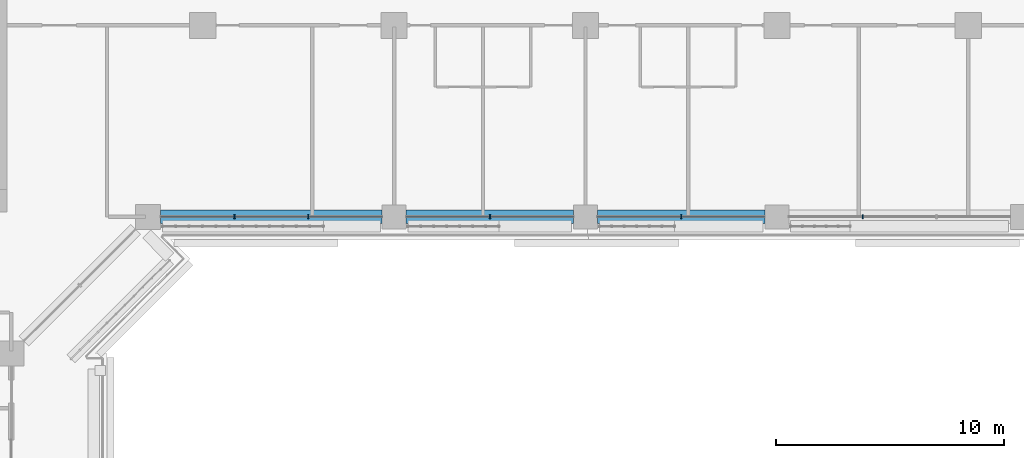
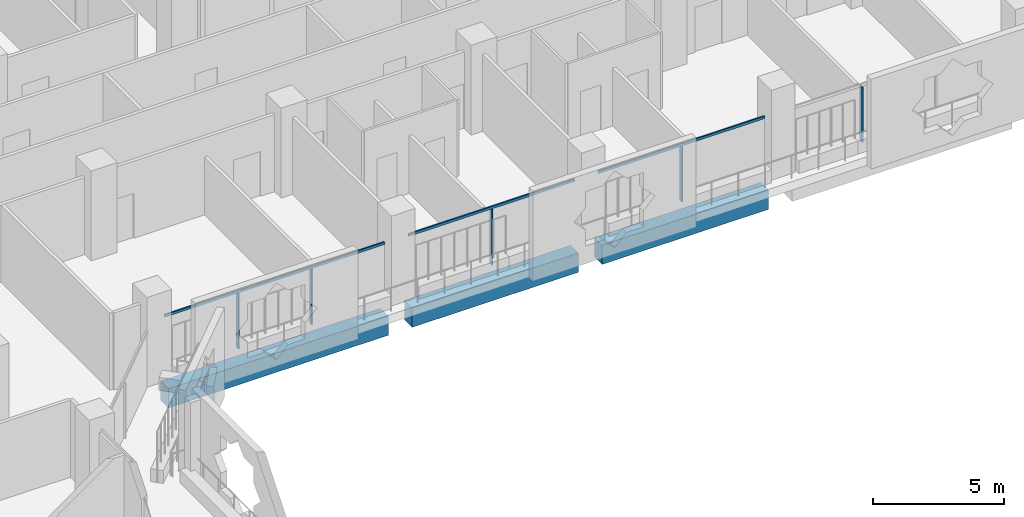
# One storey, part 6 of 25: 8 members, 3 beams, 1 element without a shape of its own.
"""IFC4 building model written with IfcOpenShell, lengths in metres."""

from ifc_helpers import new_model, si_unit, direction, frame, origin, origin_2d, place, context, subcontext, project, spatial, rectangle, extrude, material, layer, layer_set, material_profile, profile_set, type_object, element, aggregate, save


model = new_model("IFC4")

# Units and contexts
model_context = context("Model", 3, precision=1e-05, world=origin(), true_north=direction((0.0, 1.0)))
body_context = subcontext(model_context, "Body", "Model", "MODEL_VIEW")
ifc_project = project(units=[si_unit("LENGTHUNIT", "METRE"), si_unit("AREAUNIT", "SQUARE_METRE"), si_unit("VOLUMEUNIT", "CUBIC_METRE"), si_unit("PLANEANGLEUNIT", "RADIAN"), si_unit("MASSUNIT", "GRAM", prefix="KILO")], contexts=[model_context])

# Site, building, storey
site_placement = place(None, origin())
site = spatial("IfcSite", under=ifc_project, at=site_placement, CompositionType="ELEMENT")
building_placement = place(site_placement, origin())
building = spatial("IfcBuilding", under=site, at=building_placement, Name="Kawkab Arch Medical Tower", CompositionType="ELEMENT")
storey_placement = place(building_placement, frame((0.0, 0.0, 145.0)))
storey = spatial("IfcBuildingStorey", under=building, at=storey_placement, Name="L33", CompositionType="ELEMENT", Elevation=145.0)

# Curtain wall, members
ifc_material_1 = material(Name="Bronze anodised aluminium curtain wall frame", Category="aluminium")
ifc_layer = layer(ifc_material_1, 0.159912109375)
ifc_layer_set = layer_set([ifc_layer], Name="Bronze anodised aluminium curtain wall frame")
curtain_wall_type = type_object("IfcCurtainWallType", Name="CW1 ward curtain wall", PredefinedType="NOTDEFINED", material=ifc_layer_set)
curtain_wall_placement = place(storey_placement, origin())
curtain_wall = element("IfcCurtainWall", 1, at=curtain_wall_placement, inside=storey, type_object=curtain_wall_type, Name="CW1 Ward curtain wall R07", PredefinedType="NOTDEFINED")
ifc_material_2 = material(Name="Bronze anodised aluminium curtain wall frame", Category="aluminium")
ifc_material_profile_1 = material_profile(ifc_material_2, rectangle(XDim=0.179931640625, YDim=0.06005859375, at=origin_2d()), Name="AL 60x180")
ifc_profile_set_1 = profile_set([ifc_material_profile_1], Name="Bronze anodised aluminium curtain wall frame")
member_type_1 = type_object("IfcMemberType", Name="CW1 mullion 60 x 180", PredefinedType="MULLION", material=ifc_profile_set_1)
member_1_placement = place(storey_placement, frame((34.99169921875, -25.199951171875, 0.0), z_axis=(0.0, 0.0, 1.0), x_axis=(0.0, 1.0, 0.0)))
member_1 = element("IfcMember", 2, at=member_1_placement, type_object=member_type_1, Name="CW1 mullion 1.1", PredefinedType="MULLION", context=body_context, shape_type="SweptSolid", body=[
    extrude(rectangle(XDim=0.179931640625, YDim=0.06005859375, at=origin_2d()), origin(), (0.0, 0.0, 1.0), 2.580078125),
])
member_2_placement = place(storey_placement, frame((38.2333984375, -25.199951171875, 0.0), z_axis=(0.0, 0.0, 1.0), x_axis=(0.0, 1.0, 0.0)))
member_2 = element("IfcMember", 3, at=member_2_placement, type_object=member_type_1, Name="CW1 mullion 1.2", PredefinedType="MULLION", context=body_context, shape_type="SweptSolid", body=[
    extrude(rectangle(XDim=0.179931640625, YDim=0.06005859375, at=origin_2d()), origin(), (0.0, 0.0, 1.0), 2.580078125),
])
member_3_placement = place(storey_placement, frame((46.199951171875, -25.199951171875, 0.0), z_axis=(0.0, 0.0, 1.0), x_axis=(0.0, 1.0, 0.0)))
member_3 = element("IfcMember", 4, at=member_3_placement, type_object=member_type_1, Name="CW1 mullion 2.1", PredefinedType="MULLION", context=body_context, shape_type="SweptSolid", body=[
    extrude(rectangle(XDim=0.179931640625, YDim=0.06005859375, at=origin_2d()), origin(), (0.0, 0.0, 1.0), 2.580078125),
])
member_4_placement = place(storey_placement, frame((54.60009765625, -25.199951171875, 0.0), z_axis=(0.0, 0.0, 1.0), x_axis=(0.0, 1.0, 0.0)))
member_4 = element("IfcMember", 5, at=member_4_placement, type_object=member_type_1, Name="CW1 mullion 3.1", PredefinedType="MULLION", context=body_context, shape_type="SweptSolid", body=[
    extrude(rectangle(XDim=0.179931640625, YDim=0.06005859375, at=origin_2d()), origin(), (0.0, 0.0, 1.0), 2.580078125),
])
member_5_placement = place(storey_placement, frame((62.566650390625, -25.199951171875, 0.0), z_axis=(0.0, 0.0, 1.0), x_axis=(0.0, 1.0, 0.0)))
member_5 = element("IfcMember", 6, at=member_5_placement, type_object=member_type_1, Name="CW1 mullion 4.1", PredefinedType="MULLION", context=body_context, shape_type="SweptSolid", body=[
    extrude(rectangle(XDim=0.179931640625, YDim=0.06005859375, at=origin_2d()), origin(), (0.0, 0.0, 1.0), 2.580078125),
])
ifc_material_3 = material(Name="Bronze anodised aluminium curtain wall frame", Category="aluminium")
ifc_material_profile_2 = material_profile(ifc_material_3, rectangle(XDim=0.06005859375, YDim=0.1201171875, at=origin_2d()), Name="AL 60x120")
ifc_profile_set_2 = profile_set([ifc_material_profile_2], Name="Bronze anodised aluminium curtain wall frame")
member_type_2 = type_object("IfcMemberType", Name="CW1 transom 120 x 60", PredefinedType="USERDEFINED", material=ifc_profile_set_2)
member_6_placement = place(storey_placement, frame((31.75, -25.199951171875, 2.639892578125), z_axis=(1.0, 0.0, 0.0), x_axis=(0.0, 1.0, 0.0)))
member_6 = element("IfcMember", 7, at=member_6_placement, type_object=member_type_2, Name="CW1 transom 1", ObjectType="TRANSOM", PredefinedType="USERDEFINED", context=body_context, shape_type="SweptSolid", body=[
    extrude(rectangle(XDim=0.06005859375, YDim=0.1201171875, at=origin_2d()), origin(), (0.0, 0.0, 1.0), 9.72509765625),
])
member_7_placement = place(storey_placement, frame((42.52490234375, -25.199951171875, 2.639892578125), z_axis=(1.0, 0.0, 0.0), x_axis=(0.0, 1.0, 0.0)))
member_7 = element("IfcMember", 8, at=member_7_placement, type_object=member_type_2, Name="CW1 transom 2", ObjectType="TRANSOM", PredefinedType="USERDEFINED", context=body_context, shape_type="SweptSolid", body=[
    extrude(rectangle(XDim=0.06005859375, YDim=0.1201171875, at=origin_2d()), origin(), (0.0, 0.0, 1.0), 7.35009765625),
])
member_8_placement = place(storey_placement, frame((50.925048828125, -25.199951171875, 2.639892578125), z_axis=(1.0, 0.0, 0.0), x_axis=(0.0, 1.0, 0.0)))
member_8 = element("IfcMember", 9, at=member_8_placement, type_object=member_type_2, Name="CW1 transom 3", ObjectType="TRANSOM", PredefinedType="USERDEFINED", context=body_context, shape_type="SweptSolid", body=[
    extrude(rectangle(XDim=0.06005859375, YDim=0.1201171875, at=origin_2d()), origin(), (0.0, 0.0, 1.0), 7.349853515625),
])
aggregate(curtain_wall, [member_6, member_1, member_2, member_7, member_3, member_8, member_4, member_5])

# Beams
ifc_material_4 = material(Name="Concrete C55/67", Category="concrete")
ifc_material_profile_3 = material_profile(ifc_material_4, rectangle(XDim=0.60009765625, YDim=0.89990234375, at=origin_2d()), Name="RC 600x900")
ifc_profile_set_3 = profile_set([ifc_material_profile_3], Name="Concrete C55/67")
beam_type = type_object("IfcBeamType", Name="RC 600x900 beam C55/67", PredefinedType="BEAM", material=ifc_profile_set_3)
beam_1_placement = place(storey_placement, frame((58.27490234375, -25.199951171875, -1.050048828125), z_axis=(-1.0, 0.0, 0.0), x_axis=(0.0, -1.0, 0.0)))
element("IfcBeam", 10, at=beam_1_placement, inside=storey, type_object=beam_type, Name="Overhang edge beam L33-03", PredefinedType="BEAM", context=body_context, shape_type="SweptSolid", body=[
    extrude(rectangle(XDim=0.60009765625, YDim=0.89990234375, at=origin_2d()), origin(), (0.0, 0.0, 1.0), 7.349853515625),
])
beam_2_placement = place(storey_placement, frame((49.875, -25.199951171875, -1.050048828125), z_axis=(-1.0, 0.0, 0.0), x_axis=(0.0, -1.0, 0.0)))
element("IfcBeam", 11, at=beam_2_placement, inside=storey, type_object=beam_type, Name="Overhang edge beam L33-04", PredefinedType="BEAM", context=body_context, shape_type="SweptSolid", body=[
    extrude(rectangle(XDim=0.60009765625, YDim=0.89990234375, at=origin_2d()), origin(), (0.0, 0.0, 1.0), 7.35009765625),
])
beam_3_placement = place(storey_placement, frame((41.47509765625, -25.199951171875, -1.050048828125), z_axis=(-1.0, 0.0, 0.0), x_axis=(0.0, -1.0, 0.0)))
element("IfcBeam", 12, at=beam_3_placement, inside=storey, type_object=beam_type, Name="Overhang edge beam L33-05", PredefinedType="BEAM", context=body_context, shape_type="SweptSolid", body=[
    extrude(rectangle(XDim=0.60009765625, YDim=0.89990234375, at=origin_2d()), origin(), (0.0, 0.0, 1.0), 9.72509765625),
])

save(model, "model.ifc")
